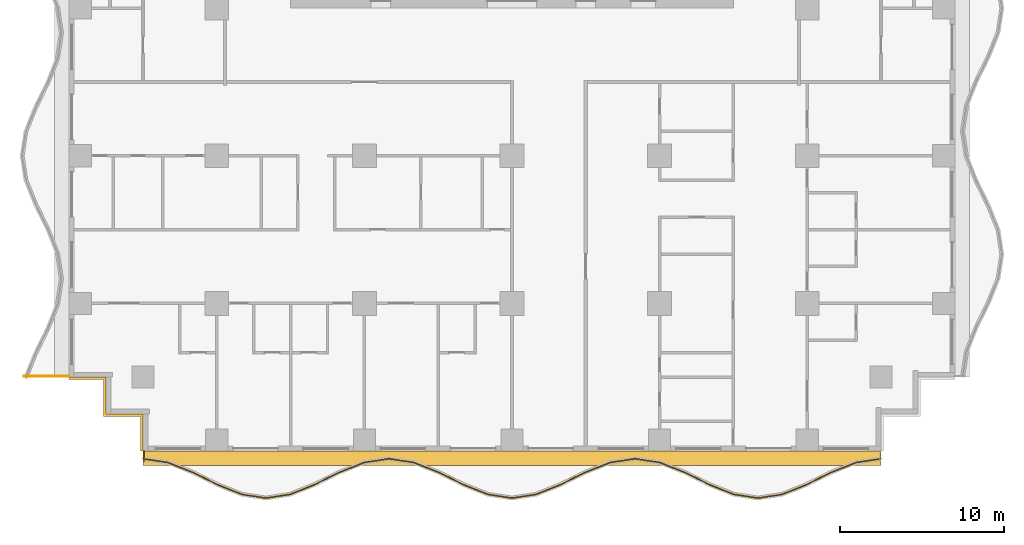
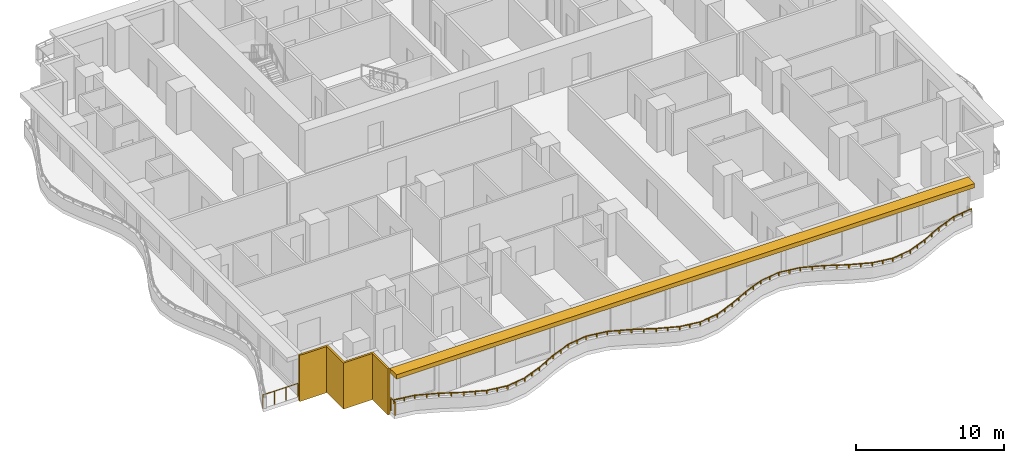
# One storey, part 7 of 13: 3 railings, 2 shading devices.
"""IFC4 building model written with IfcOpenShell, lengths in metres."""

from ifc_helpers import new_model, si_unit, direction, frame, origin, origin_2d, place, context, subcontext, project, spatial, polyline, rectangle, outline, extrude, material, layer, layer_set, type_object, element, save


model = new_model("IFC4")

# Units and contexts
model_context = context("Model", 3, precision=1e-05, world=origin(), true_north=direction((0.0, 1.0)))
body_context = subcontext(model_context, "Body", "Model", "MODEL_VIEW")
ifc_project = project(units=[si_unit("LENGTHUNIT", "METRE"), si_unit("AREAUNIT", "SQUARE_METRE"), si_unit("VOLUMEUNIT", "CUBIC_METRE"), si_unit("PLANEANGLEUNIT", "RADIAN"), si_unit("MASSUNIT", "GRAM", prefix="KILO")], contexts=[model_context])

# Site, building, storey
site_placement = place(None, origin())
site = spatial("IfcSite", under=ifc_project, at=site_placement, CompositionType="ELEMENT")
building_placement = place(site_placement, origin())
building = spatial("IfcBuilding", under=site, at=building_placement, Name="Orbiselva Terraces", CompositionType="ELEMENT")
storey_placement = place(building_placement, frame((0.0, 0.0, 69.4)))
storey = spatial("IfcBuildingStorey", under=building, at=storey_placement, Name="L17", CompositionType="ELEMENT", Elevation=69.4)

# Railings
ifc_material_1 = material(Name="Bonded two-ply safety glass balustrade, stainless steel posts", Category="steel")
railing_type_1 = type_object("IfcRailingType", Name="ENV-BALUSTRADE-1200", PredefinedType="BALUSTRADE", material=ifc_material_1)
railing_1_placement = place(storey_placement, frame((-22.481121, -22.976434, 0.9)))
element("IfcRailing", 1, at=railing_1_placement, inside=storey, type_object=railing_type_1, Name="Balcony balustrade L17 S", PredefinedType="BALUSTRADE", context=body_context, shape_type="SweptSolid", body=[
    extrude(outline(polyline([(0.028868, 0.0), (0.014434, 0.025), (-0.014434, 0.025), (-0.028868, 0.0), (-0.014434, -0.025), (0.014434, -0.025), (0.028868, 0.0)])), frame((0.0, 0.0, 0.275), z_axis=(0.988528588529, -0.151033869252, 0.0), x_axis=(0.151033869252, 0.988528588529, 0.0)), (0.0, 0.0, 1.0), 1.531776),
    extrude(outline(polyline([(0.028868, 0.0), (0.014434, 0.025), (-0.014434, 0.025), (-0.028868, 0.0), (-0.014434, -0.025), (0.014434, -0.025), (0.028868, 0.0)])), frame((1.514204, -0.23135, 0.275), z_axis=(0.92847681744, -0.371390359967, 0.0), x_axis=(0.371390359967, 0.92847681744, 0.0)), (0.0, 0.0, 1.0), 1.634838),
    extrude(outline(polyline([(0.028868, 0.0), (0.014434, 0.025), (-0.014434, 0.025), (-0.028868, 0.0), (-0.014434, -0.025), (0.014434, -0.025), (0.028868, 0.0)])), frame((3.032113, -0.838513, 0.275), z_axis=(0.896416672454, -0.443212307306, 0.0), x_axis=(0.443212307306, 0.896416672454, 0.0)), (0.0, 0.0, 1.0), 1.673329),
    extrude(outline(polyline([(0.028868, 0.0), (0.014434, 0.025), (-0.014434, 0.025), (-0.028868, 0.0), (-0.014434, -0.025), (0.014434, -0.025), (0.028868, 0.0)])), frame((4.532113, -1.580153, 0.275), z_axis=(0.928476561272, -0.371391000387, 0.0), x_axis=(0.371391000387, 0.928476561272, 0.0)), (0.0, 0.0, 1.0), 1.596261),
    extrude(outline(polyline([(0.028868, 0.0), (0.014434, 0.025), (-0.014434, 0.025), (-0.028868, 0.0), (-0.014434, -0.025), (0.014434, -0.025), (0.028868, 0.0)])), frame((6.014204, -2.17299, 0.275), z_axis=(0.988528606898, -0.151033749027, 0.0), x_axis=(0.151033749027, 0.988528606898, 0.0)), (0.0, 0.0, 1.0), 1.48394),
    extrude(outline(polyline([(0.028868, 0.0), (0.014434, 0.025), (-0.014434, 0.025), (-0.028868, 0.0), (-0.014434, -0.025), (0.014434, -0.025), (0.028868, 0.0)])), frame((7.481121, -2.397115, 0.275), z_axis=(0.988528606898, 0.151033749027, 0.0), x_axis=(-0.151033749027, 0.988528606898, 0.0)), (0.0, 0.0, 1.0), 1.48394),
    extrude(outline(polyline([(0.028868, 0.0), (0.014434, 0.025), (-0.014434, 0.025), (-0.028868, 0.0), (-0.014434, -0.025), (0.014434, -0.025), (0.028868, 0.0)])), frame((8.948038, -2.17299, 0.275), z_axis=(0.928476561272, 0.371391000387, 0.0), x_axis=(-0.371391000387, 0.928476561272, 0.0)), (0.0, 0.0, 1.0), 1.596261),
    extrude(outline(polyline([(0.028868, 0.0), (0.014434, 0.025), (-0.014434, 0.025), (-0.028868, 0.0), (-0.014434, -0.025), (0.014434, -0.025), (0.028868, 0.0)])), frame((10.430129, -1.580153, 0.275), z_axis=(0.896416672454, 0.443212307306, 0.0), x_axis=(-0.443212307306, 0.896416672454, 0.0)), (0.0, 0.0, 1.0), 1.673329),
    extrude(outline(polyline([(0.028868, 0.0), (0.014434, 0.025), (-0.014434, 0.025), (-0.028868, 0.0), (-0.014434, -0.025), (0.014434, -0.025), (0.028868, 0.0)])), frame((11.930129, -0.838513, 0.275), z_axis=(0.92847681744, 0.371390359967, 0.0), x_axis=(-0.371390359967, 0.92847681744, 0.0)), (0.0, 0.0, 1.0), 1.634838),
    extrude(outline(polyline([(0.028868, 0.0), (0.014434, 0.025), (-0.014434, 0.025), (-0.028868, 0.0), (-0.014434, -0.025), (0.014434, -0.025), (0.028868, 0.0)])), frame((13.448038, -0.23135, 0.275), z_axis=(0.988528536275, 0.151034211256, 0.0), x_axis=(-0.151034211256, 0.988528536275, 0.0)), (0.0, 0.0, 1.0), 1.550874),
    extrude(outline(polyline([(0.028868, 0.0), (0.014434, 0.025), (-0.014434, 0.025), (-0.028868, 0.0), (-0.014434, -0.025), (0.014434, -0.025), (0.028868, 0.0)])), frame((14.981121, 0.002885, 0.275), z_axis=(0.988528536275, -0.151034211256, 0.0), x_axis=(0.151034211256, 0.988528536275, 0.0)), (0.0, 0.0, 1.0), 1.550874),
    extrude(outline(polyline([(0.028868, 0.0), (0.014434, 0.025), (-0.014434, 0.025), (-0.028868, 0.0), (-0.014434, -0.025), (0.014434, -0.025), (0.028868, 0.0)])), frame((16.514204, -0.23135, 0.275), z_axis=(0.92847681744, -0.371390359967, 0.0), x_axis=(0.371390359967, 0.92847681744, 0.0)), (0.0, 0.0, 1.0), 1.634838),
    extrude(outline(polyline([(0.028868, 0.0), (0.014434, 0.025), (-0.014434, 0.025), (-0.028868, 0.0), (-0.014434, -0.025), (0.014434, -0.025), (0.028868, 0.0)])), frame((18.032113, -0.838513, 0.275), z_axis=(0.896416672454, -0.443212307306, 0.0), x_axis=(0.443212307306, 0.896416672454, 0.0)), (0.0, 0.0, 1.0), 1.673329),
    extrude(outline(polyline([(0.028868, 0.0), (0.014434, 0.025), (-0.014434, 0.025), (-0.028868, 0.0), (-0.014434, -0.025), (0.014434, -0.025), (0.028868, 0.0)])), frame((19.532113, -1.580153, 0.275), z_axis=(0.928476561272, -0.371391000387, 0.0), x_axis=(0.371391000387, 0.928476561272, 0.0)), (0.0, 0.0, 1.0), 1.596261),
    extrude(outline(polyline([(0.028868, 0.0), (0.014434, 0.025), (-0.014434, 0.025), (-0.028868, 0.0), (-0.014434, -0.025), (0.014434, -0.025), (0.028868, 0.0)])), frame((21.014204, -2.17299, 0.275), z_axis=(0.988528606898, -0.151033749027, 0.0), x_axis=(0.151033749027, 0.988528606898, 0.0)), (0.0, 0.0, 1.0), 1.48394),
    extrude(outline(polyline([(0.028868, 0.0), (0.014434, 0.025), (-0.014434, 0.025), (-0.028868, 0.0), (-0.014434, -0.025), (0.014434, -0.025), (0.028868, 0.0)])), frame((22.481121, -2.397115, 0.275), z_axis=(0.988528606898, 0.151033749027, 0.0), x_axis=(-0.151033749027, 0.988528606898, 0.0)), (0.0, 0.0, 1.0), 1.48394),
    extrude(outline(polyline([(0.028868, 0.0), (0.014434, 0.025), (-0.014434, 0.025), (-0.028868, 0.0), (-0.014434, -0.025), (0.014434, -0.025), (0.028868, 0.0)])), frame((23.948038, -2.17299, 0.275), z_axis=(0.928476561272, 0.371391000387, 0.0), x_axis=(-0.371391000387, 0.928476561272, 0.0)), (0.0, 0.0, 1.0), 1.596261),
    extrude(outline(polyline([(0.028868, 0.0), (0.014434, 0.025), (-0.014434, 0.025), (-0.028868, 0.0), (-0.014434, -0.025), (0.014434, -0.025), (0.028868, 0.0)])), frame((25.430129, -1.580153, 0.275), z_axis=(0.896416672454, 0.443212307306, 0.0), x_axis=(-0.443212307306, 0.896416672454, 0.0)), (0.0, 0.0, 1.0), 1.673329),
    extrude(outline(polyline([(0.028868, 0.0), (0.014434, 0.025), (-0.014434, 0.025), (-0.028868, 0.0), (-0.014434, -0.025), (0.014434, -0.025), (0.028868, 0.0)])), frame((26.930129, -0.838513, 0.275), z_axis=(0.92847681744, 0.371390359967, 0.0), x_axis=(-0.371390359967, 0.92847681744, 0.0)), (0.0, 0.0, 1.0), 1.634838),
    extrude(outline(polyline([(0.028868, 0.0), (0.014434, 0.025), (-0.014434, 0.025), (-0.028868, 0.0), (-0.014434, -0.025), (0.014434, -0.025), (0.028868, 0.0)])), frame((28.448038, -0.23135, 0.275), z_axis=(0.988528536275, 0.151034211256, 0.0), x_axis=(-0.151034211256, 0.988528536275, 0.0)), (0.0, 0.0, 1.0), 1.550874),
    extrude(outline(polyline([(0.028868, 0.0), (0.014434, 0.025), (-0.014434, 0.025), (-0.028868, 0.0), (-0.014434, -0.025), (0.014434, -0.025), (0.028868, 0.0)])), frame((29.981121, 0.002885, 0.275), z_axis=(0.988528536275, -0.151034211256, 0.0), x_axis=(0.151034211256, 0.988528536275, 0.0)), (0.0, 0.0, 1.0), 1.550874),
    extrude(outline(polyline([(0.028868, 0.0), (0.014434, 0.025), (-0.014434, 0.025), (-0.028868, 0.0), (-0.014434, -0.025), (0.014434, -0.025), (0.028868, 0.0)])), frame((31.514204, -0.23135, 0.275), z_axis=(0.92847681744, -0.371390359967, 0.0), x_axis=(0.371390359967, 0.92847681744, 0.0)), (0.0, 0.0, 1.0), 1.634838),
    extrude(outline(polyline([(0.028868, 0.0), (0.014434, 0.025), (-0.014434, 0.025), (-0.028868, 0.0), (-0.014434, -0.025), (0.014434, -0.025), (0.028868, 0.0)])), frame((33.032113, -0.838513, 0.275), z_axis=(0.896416672454, -0.443212307306, 0.0), x_axis=(0.443212307306, 0.896416672454, 0.0)), (0.0, 0.0, 1.0), 1.673329),
    extrude(outline(polyline([(0.028868, 0.0), (0.014434, 0.025), (-0.014434, 0.025), (-0.028868, 0.0), (-0.014434, -0.025), (0.014434, -0.025), (0.028868, 0.0)])), frame((34.532113, -1.580153, 0.275), z_axis=(0.928476561272, -0.371391000387, 0.0), x_axis=(0.371391000387, 0.928476561272, 0.0)), (0.0, 0.0, 1.0), 1.596261),
    extrude(outline(polyline([(0.028868, 0.0), (0.014434, 0.025), (-0.014434, 0.025), (-0.028868, 0.0), (-0.014434, -0.025), (0.014434, -0.025), (0.028868, 0.0)])), frame((36.014204, -2.17299, 0.275), z_axis=(0.988528606898, -0.151033749027, 0.0), x_axis=(0.151033749027, 0.988528606898, 0.0)), (0.0, 0.0, 1.0), 1.48394),
    extrude(outline(polyline([(0.028868, 0.0), (0.014434, 0.025), (-0.014434, 0.025), (-0.028868, 0.0), (-0.014434, -0.025), (0.014434, -0.025), (0.028868, 0.0)])), frame((37.481121, -2.397115, 0.275), z_axis=(0.988528606898, 0.151033749027, 0.0), x_axis=(-0.151033749027, 0.988528606898, 0.0)), (0.0, 0.0, 1.0), 1.48394),
    extrude(outline(polyline([(0.028868, 0.0), (0.014434, 0.025), (-0.014434, 0.025), (-0.028868, 0.0), (-0.014434, -0.025), (0.014434, -0.025), (0.028868, 0.0)])), frame((38.948038, -2.17299, 0.275), z_axis=(0.928476561272, 0.371391000387, 0.0), x_axis=(-0.371391000387, 0.928476561272, 0.0)), (0.0, 0.0, 1.0), 1.596261),
    extrude(outline(polyline([(0.028868, 0.0), (0.014434, 0.025), (-0.014434, 0.025), (-0.028868, 0.0), (-0.014434, -0.025), (0.014434, -0.025), (0.028868, 0.0)])), frame((40.430129, -1.580153, 0.275), z_axis=(0.896416672454, 0.443212307306, 0.0), x_axis=(-0.443212307306, 0.896416672454, 0.0)), (0.0, 0.0, 1.0), 1.673329),
    extrude(outline(polyline([(0.028868, 0.0), (0.014434, 0.025), (-0.014434, 0.025), (-0.028868, 0.0), (-0.014434, -0.025), (0.014434, -0.025), (0.028868, 0.0)])), frame((41.930129, -0.838513, 0.275), z_axis=(0.92847681744, 0.371390359967, 0.0), x_axis=(-0.371390359967, 0.92847681744, 0.0)), (0.0, 0.0, 1.0), 1.634838),
    extrude(outline(polyline([(0.028868, 0.0), (0.014434, 0.025), (-0.014434, 0.025), (-0.028868, 0.0), (-0.014434, -0.025), (0.014434, -0.025), (0.028868, 0.0)])), frame((43.448038, -0.23135, 0.275), z_axis=(0.988528588529, 0.151033869252, 0.0), x_axis=(-0.151033869252, 0.988528588529, 0.0)), (0.0, 0.0, 1.0), 1.531776),
    extrude(rectangle(XDim=0.05, YDim=0.05, at=origin_2d()), origin(), (0.0, 0.0, 1.0), 0.25),
    extrude(rectangle(XDim=0.05, YDim=0.05, at=origin_2d()), frame((0.757102, -0.115675, 0.0)), (0.0, 0.0, 1.0), 0.25),
    extrude(rectangle(XDim=0.05, YDim=0.05, at=origin_2d()), frame((1.514204, -0.23135, 0.0)), (0.0, 0.0, 1.0), 0.25),
    extrude(rectangle(XDim=0.05, YDim=0.05, at=origin_2d()), frame((2.273159, -0.534931, 0.0)), (0.0, 0.0, 1.0), 0.25),
    extrude(rectangle(XDim=0.05, YDim=0.05, at=origin_2d()), frame((3.032113, -0.838513, 0.0)), (0.0, 0.0, 1.0), 0.25),
    extrude(rectangle(XDim=0.05, YDim=0.05, at=origin_2d()), frame((3.782113, -1.209333, 0.0)), (0.0, 0.0, 1.0), 0.25),
    extrude(rectangle(XDim=0.05, YDim=0.05, at=origin_2d()), frame((4.532113, -1.580153, 0.0)), (0.0, 0.0, 1.0), 0.25),
    extrude(rectangle(XDim=0.05, YDim=0.05, at=origin_2d()), frame((5.273159, -1.876571, 0.0)), (0.0, 0.0, 1.0), 0.25),
    extrude(rectangle(XDim=0.05, YDim=0.05, at=origin_2d()), frame((6.014204, -2.17299, 0.0)), (0.0, 0.0, 1.0), 0.25),
    extrude(rectangle(XDim=0.05, YDim=0.05, at=origin_2d()), frame((6.747663, -2.285052, 0.0)), (0.0, 0.0, 1.0), 0.25),
    extrude(rectangle(XDim=0.05, YDim=0.05, at=origin_2d()), frame((7.481121, -2.397115, 0.0)), (0.0, 0.0, 1.0), 0.25),
    extrude(rectangle(XDim=0.05, YDim=0.05, at=origin_2d()), frame((8.21458, -2.285052, 0.0)), (0.0, 0.0, 1.0), 0.25),
    extrude(rectangle(XDim=0.05, YDim=0.05, at=origin_2d()), frame((8.948038, -2.17299, 0.0)), (0.0, 0.0, 1.0), 0.25),
    extrude(rectangle(XDim=0.05, YDim=0.05, at=origin_2d()), frame((9.689084, -1.876571, 0.0)), (0.0, 0.0, 1.0), 0.25),
    extrude(rectangle(XDim=0.05, YDim=0.05, at=origin_2d()), frame((10.430129, -1.580153, 0.0)), (0.0, 0.0, 1.0), 0.25),
    extrude(rectangle(XDim=0.05, YDim=0.05, at=origin_2d()), frame((11.180129, -1.209333, 0.0)), (0.0, 0.0, 1.0), 0.25),
    extrude(rectangle(XDim=0.05, YDim=0.05, at=origin_2d()), frame((11.930129, -0.838513, 0.0)), (0.0, 0.0, 1.0), 0.25),
    extrude(rectangle(XDim=0.05, YDim=0.05, at=origin_2d()), frame((12.689084, -0.534931, 0.0)), (0.0, 0.0, 1.0), 0.25),
    extrude(rectangle(XDim=0.05, YDim=0.05, at=origin_2d()), frame((13.448038, -0.23135, 0.0)), (0.0, 0.0, 1.0), 0.25),
    extrude(rectangle(XDim=0.05, YDim=0.05, at=origin_2d()), frame((14.21458, -0.114232, 0.0)), (0.0, 0.0, 1.0), 0.25),
    extrude(rectangle(XDim=0.05, YDim=0.05, at=origin_2d()), frame((14.981121, 0.002885, 0.0)), (0.0, 0.0, 1.0), 0.25),
    extrude(rectangle(XDim=0.05, YDim=0.05, at=origin_2d()), frame((15.747663, -0.114232, 0.0)), (0.0, 0.0, 1.0), 0.25),
    extrude(rectangle(XDim=0.05, YDim=0.05, at=origin_2d()), frame((16.514204, -0.23135, 0.0)), (0.0, 0.0, 1.0), 0.25),
    extrude(rectangle(XDim=0.05, YDim=0.05, at=origin_2d()), frame((17.273158, -0.534931, 0.0)), (0.0, 0.0, 1.0), 0.25),
    extrude(rectangle(XDim=0.05, YDim=0.05, at=origin_2d()), frame((18.032113, -0.838513, 0.0)), (0.0, 0.0, 1.0), 0.25),
    extrude(rectangle(XDim=0.05, YDim=0.05, at=origin_2d()), frame((18.782113, -1.209333, 0.0)), (0.0, 0.0, 1.0), 0.25),
    extrude(rectangle(XDim=0.05, YDim=0.05, at=origin_2d()), frame((19.532113, -1.580153, 0.0)), (0.0, 0.0, 1.0), 0.25),
    extrude(rectangle(XDim=0.05, YDim=0.05, at=origin_2d()), frame((20.273158, -1.876571, 0.0)), (0.0, 0.0, 1.0), 0.25),
    extrude(rectangle(XDim=0.05, YDim=0.05, at=origin_2d()), frame((21.014204, -2.17299, 0.0)), (0.0, 0.0, 1.0), 0.25),
    extrude(rectangle(XDim=0.05, YDim=0.05, at=origin_2d()), frame((21.747663, -2.285052, 0.0)), (0.0, 0.0, 1.0), 0.25),
    extrude(rectangle(XDim=0.05, YDim=0.05, at=origin_2d()), frame((22.481121, -2.397115, 0.0)), (0.0, 0.0, 1.0), 0.25),
    extrude(rectangle(XDim=0.05, YDim=0.05, at=origin_2d()), frame((23.21458, -2.285052, 0.0)), (0.0, 0.0, 1.0), 0.25),
    extrude(rectangle(XDim=0.05, YDim=0.05, at=origin_2d()), frame((23.948038, -2.17299, 0.0)), (0.0, 0.0, 1.0), 0.25),
    extrude(rectangle(XDim=0.05, YDim=0.05, at=origin_2d()), frame((24.689084, -1.876571, 0.0)), (0.0, 0.0, 1.0), 0.25),
    extrude(rectangle(XDim=0.05, YDim=0.05, at=origin_2d()), frame((25.430129, -1.580153, 0.0)), (0.0, 0.0, 1.0), 0.25),
    extrude(rectangle(XDim=0.05, YDim=0.05, at=origin_2d()), frame((26.180129, -1.209333, 0.0)), (0.0, 0.0, 1.0), 0.25),
    extrude(rectangle(XDim=0.05, YDim=0.05, at=origin_2d()), frame((26.930129, -0.838513, 0.0)), (0.0, 0.0, 1.0), 0.25),
    extrude(rectangle(XDim=0.05, YDim=0.05, at=origin_2d()), frame((27.689084, -0.534931, 0.0)), (0.0, 0.0, 1.0), 0.25),
    extrude(rectangle(XDim=0.05, YDim=0.05, at=origin_2d()), frame((28.448038, -0.23135, 0.0)), (0.0, 0.0, 1.0), 0.25),
    extrude(rectangle(XDim=0.05, YDim=0.05, at=origin_2d()), frame((29.21458, -0.114232, 0.0)), (0.0, 0.0, 1.0), 0.25),
    extrude(rectangle(XDim=0.05, YDim=0.05, at=origin_2d()), frame((29.981121, 0.002885, 0.0)), (0.0, 0.0, 1.0), 0.25),
    extrude(rectangle(XDim=0.05, YDim=0.05, at=origin_2d()), frame((30.747662, -0.114232, 0.0)), (0.0, 0.0, 1.0), 0.25),
    extrude(rectangle(XDim=0.05, YDim=0.05, at=origin_2d()), frame((31.514204, -0.23135, 0.0)), (0.0, 0.0, 1.0), 0.25),
    extrude(rectangle(XDim=0.05, YDim=0.05, at=origin_2d()), frame((32.273158, -0.534931, 0.0)), (0.0, 0.0, 1.0), 0.25),
    extrude(rectangle(XDim=0.05, YDim=0.05, at=origin_2d()), frame((33.032113, -0.838513, 0.0)), (0.0, 0.0, 1.0), 0.25),
    extrude(rectangle(XDim=0.05, YDim=0.05, at=origin_2d()), frame((33.782113, -1.209333, 0.0)), (0.0, 0.0, 1.0), 0.25),
    extrude(rectangle(XDim=0.05, YDim=0.05, at=origin_2d()), frame((34.532113, -1.580153, 0.0)), (0.0, 0.0, 1.0), 0.25),
    extrude(rectangle(XDim=0.05, YDim=0.05, at=origin_2d()), frame((35.273158, -1.876571, 0.0)), (0.0, 0.0, 1.0), 0.25),
    extrude(rectangle(XDim=0.05, YDim=0.05, at=origin_2d()), frame((36.014204, -2.17299, 0.0)), (0.0, 0.0, 1.0), 0.25),
    extrude(rectangle(XDim=0.05, YDim=0.05, at=origin_2d()), frame((36.747663, -2.285052, 0.0)), (0.0, 0.0, 1.0), 0.25),
    extrude(rectangle(XDim=0.05, YDim=0.05, at=origin_2d()), frame((37.481121, -2.397115, 0.0)), (0.0, 0.0, 1.0), 0.25),
    extrude(rectangle(XDim=0.05, YDim=0.05, at=origin_2d()), frame((38.21458, -2.285052, 0.0)), (0.0, 0.0, 1.0), 0.25),
    extrude(rectangle(XDim=0.05, YDim=0.05, at=origin_2d()), frame((38.948038, -2.17299, 0.0)), (0.0, 0.0, 1.0), 0.25),
    extrude(rectangle(XDim=0.05, YDim=0.05, at=origin_2d()), frame((39.689083, -1.876571, 0.0)), (0.0, 0.0, 1.0), 0.25),
    extrude(rectangle(XDim=0.05, YDim=0.05, at=origin_2d()), frame((40.430129, -1.580153, 0.0)), (0.0, 0.0, 1.0), 0.25),
    extrude(rectangle(XDim=0.05, YDim=0.05, at=origin_2d()), frame((41.180129, -1.209333, 0.0)), (0.0, 0.0, 1.0), 0.25),
    extrude(rectangle(XDim=0.05, YDim=0.05, at=origin_2d()), frame((41.930129, -0.838513, 0.0)), (0.0, 0.0, 1.0), 0.25),
    extrude(rectangle(XDim=0.05, YDim=0.05, at=origin_2d()), frame((42.689083, -0.534931, 0.0)), (0.0, 0.0, 1.0), 0.25),
    extrude(rectangle(XDim=0.05, YDim=0.05, at=origin_2d()), frame((43.448038, -0.23135, 0.0)), (0.0, 0.0, 1.0), 0.25),
    extrude(rectangle(XDim=0.05, YDim=0.05, at=origin_2d()), frame((44.20514, -0.115675, 0.0)), (0.0, 0.0, 1.0), 0.25),
    extrude(rectangle(XDim=0.05, YDim=0.05, at=origin_2d()), frame((44.962242, 0.0, 0.0)), (0.0, 0.0, 1.0), 0.25),
])
ifc_material_2 = material(Name="Stainless steel rail and posts", Category="steel")
railing_type_2 = type_object("IfcRailingType", Name="ENV-GUARD-1105", PredefinedType="BALUSTRADE", material=ifc_material_2)
railing_2_placement = place(storey_placement, frame((-22.44, -23.100379, 0.0)))
element("IfcRailing", 2, at=railing_2_placement, inside=storey, type_object=railing_type_2, Name="Balcony end guard L17 S", PredefinedType="BALUSTRADE", context=body_context, shape_type="SweptSolid", body=[
    extrude(outline(polyline([(0.028868, 0.0), (0.014434, 0.025), (-0.014434, 0.025), (-0.028868, 0.0), (-0.014434, -0.025), (0.014434, -0.025), (0.028868, 0.0)])), frame((0.0, 0.0, 1.08), z_axis=(0.0, 1.0, 0.0), x_axis=(-1.0, 0.0, 0.0)), (0.0, 0.0, 1.0), 0.575379),
    extrude(rectangle(XDim=0.05, YDim=0.05, at=origin_2d()), origin(), (0.0, 0.0, 1.0), 1.055),
    extrude(rectangle(XDim=0.05, YDim=0.05, at=origin_2d()), frame((0.0, 0.575379, 0.0)), (0.0, 0.0, 1.0), 1.055),
])
railing_3_placement = place(storey_placement, frame((-29.752788, -17.94, 0.0)))
element("IfcRailing", 3, at=railing_3_placement, inside=storey, type_object=railing_type_2, Name="Balcony end guard L17 W", PredefinedType="BALUSTRADE", context=body_context, shape_type="SweptSolid", body=[
    extrude(outline(polyline([(0.028868, 0.0), (0.014434, 0.025), (-0.014434, 0.025), (-0.028868, 0.0), (-0.014434, -0.025), (0.014434, -0.025), (0.028868, 0.0)])), frame((0.0, 0.0, 1.08), z_axis=(1.0, 0.0, 0.0), x_axis=(0.0, 1.0, 0.0)), (0.0, 0.0, 1.0), 2.727788),
    extrude(rectangle(XDim=0.05, YDim=0.05, at=origin_2d()), origin(), (0.0, 0.0, 1.0), 1.055),
    extrude(rectangle(XDim=0.05, YDim=0.05, at=origin_2d()), frame((0.909263, 0.0, 0.0)), (0.0, 0.0, 1.0), 1.055),
    extrude(rectangle(XDim=0.05, YDim=0.05, at=origin_2d()), frame((1.818525, 0.0, 0.0)), (0.0, 0.0, 1.0), 1.055),
    extrude(rectangle(XDim=0.05, YDim=0.05, at=origin_2d()), frame((2.727788, 0.0, 0.0)), (0.0, 0.0, 1.0), 1.055),
])

# Shading devices
ifc_material_3 = material(Name="Terracotta louvre screen", Category="masonry")
ifc_layer_1 = layer(ifc_material_3, 0.15)
ifc_layer_set_1 = layer_set([ifc_layer_1], Name="Terracotta louvre screen")
shading_device_type_1 = type_object("IfcShadingDeviceType", Name="ENV-SCREEN-150", PredefinedType="USERDEFINED", material=ifc_layer_set_1)
shading_device_1_placement = place(storey_placement, frame((0.0, 0.0, -0.3)))
element("IfcShadingDevice", 4, at=shading_device_1_placement, inside=storey, type_object=shading_device_type_1, Name="Louvre screen L17 SW", ObjectType="SCREEN", PredefinedType="USERDEFINED", context=body_context, shape_type="SweptSolid", body=[
    extrude(outline(polyline([(-27.0, -18.15), (-24.9, -18.15), (-24.9, -20.4), (-22.65, -20.4), (-22.65, -22.5), (-22.5, -22.5), (-22.5, -20.25), (-24.75, -20.25), (-24.75, -18.0), (-27.0, -18.0), (-27.0, -18.15)])), origin(), (0.0, 0.0, 1.0), 3.8),
])
ifc_material_4 = material(Name="Terracotta baguette sunshade", Category="masonry")
ifc_layer_2 = layer(ifc_material_4, 0.35)
ifc_layer_set_2 = layer_set([ifc_layer_2], Name="Terracotta baguette sunshade")
shading_device_type_2 = type_object("IfcShadingDeviceType", Name="ENV-SUNSHADE-900x350", PredefinedType="USERDEFINED", material=ifc_layer_set_2)
shading_device_2_placement = place(storey_placement, frame((0.0, 0.0, 3.15)))
element("IfcShadingDevice", 5, at=shading_device_2_placement, inside=storey, type_object=shading_device_type_2, Name="Sunshade band L17 S", ObjectType="SUNSHADE", PredefinedType="USERDEFINED", context=body_context, shape_type="SweptSolid", body=[
    extrude(outline(polyline([(-22.5, -23.4), (22.5, -23.4), (22.5, -22.5), (-22.5, -22.5), (-22.5, -23.4)])), origin(), (0.0, 0.0, 1.0), 0.35),
])

save(model, "model.ifc")
